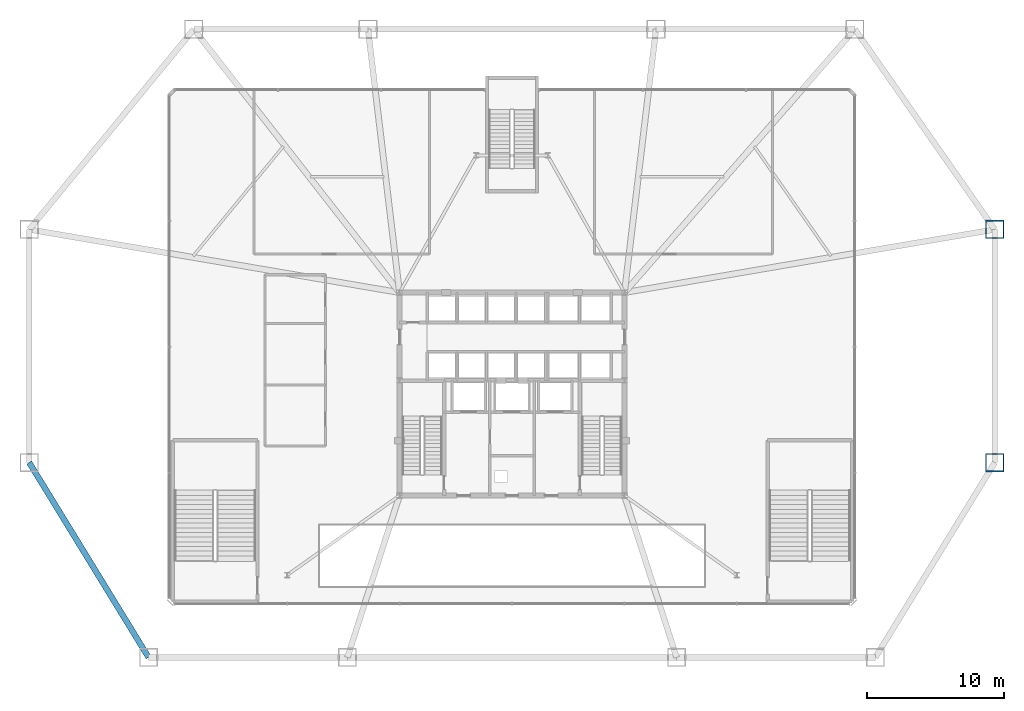
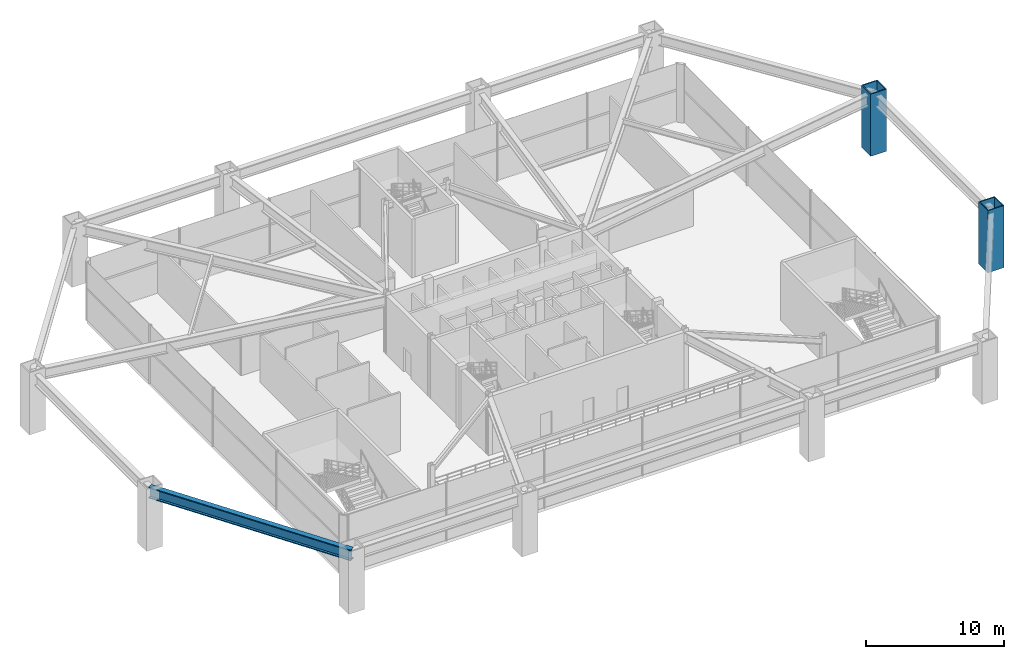
# One storey, part 4 of 18: 2 columns, 1 beam.
"""IFC4 building model written with IfcOpenShell, lengths in metres."""

from ifc_helpers import new_model, si_unit, direction, frame, origin, origin_2d, place, context, subcontext, project, spatial, hollow_rectangle, i_section, extrude, material, material_profile, profile_set, type_object, element, save


model = new_model("IFC4")

# Units and contexts
model_context = context("Model", 3, precision=1e-05, world=origin(), true_north=direction((0.0, 1.0)))
body_context = subcontext(model_context, "Body", "Model", "MODEL_VIEW")
ifc_project = project(units=[si_unit("LENGTHUNIT", "METRE"), si_unit("AREAUNIT", "SQUARE_METRE"), si_unit("VOLUMEUNIT", "CUBIC_METRE"), si_unit("PLANEANGLEUNIT", "RADIAN"), si_unit("MASSUNIT", "GRAM", prefix="KILO")], contexts=[model_context])

# Site, building, storey
site_placement = place(None, origin())
site = spatial("IfcSite", under=ifc_project, at=site_placement, CompositionType="ELEMENT")
building_placement = place(site_placement, origin())
building = spatial("IfcBuilding", under=site, at=building_placement, Name="Varakhsha Concourse Tower", CompositionType="ELEMENT")
storey_placement = place(building_placement, frame((0.0, 0.0, 5.5)))
storey = spatial("IfcBuildingStorey", under=building, at=storey_placement, Name="L02", CompositionType="ELEMENT", Elevation=5.5)

# Columns
ifc_material_1 = material(Name="Structural Steel ASTM A572 Grade 50", Category="steel")
ifc_material_profile_1 = material_profile(ifc_material_1, hollow_rectangle(XDim=1.35009765625, YDim=1.35009765625, WallThickness=0.0849609375, at=origin_2d()), Name="BOX 1350x1350x85")
ifc_profile_set_1 = profile_set([ifc_material_profile_1], Name="Structural Steel ASTM A572 Grade 50")
column_type = type_object("IfcColumnType", Name="CL-STILT-1350", PredefinedType="COLUMN", material=ifc_profile_set_1)
for number, where, z_axis, x_axis, name in (
    (1, (75.199951171875, 18.800048828125, 0.0), (0.0, 0.0, 1.0), (1.0, 0.0, 0.0), "L02 Open Perimeter Box Stilt PC-E1"),
    (2, (75.199951171875, 35.800048828125, 0.0), (0.0, 0.0, 1.0), (1.0, 0.0, 0.0), "L02 Open Perimeter Box Stilt PC-E2"),
):
    element("IfcColumn", number, at=place(storey_placement, frame(where, z_axis=z_axis, x_axis=x_axis)), inside=storey, type_object=column_type, Name=name, PredefinedType="COLUMN", context=body_context, shape_type="SweptSolid", body=[
        extrude(hollow_rectangle(XDim=1.35009765625, YDim=1.35009765625, WallThickness=0.0849609375, at=origin_2d()), origin(), (0.0, 0.0, 1.0), 5.5),
    ])

# Beam
ifc_material_2 = material(Name="Structural Steel ASTM A992 Grade 50", Category="steel")
ifc_material_profile_2 = material_profile(ifc_material_2, i_section(OverallWidth=0.427978515625, OverallDepth=0.97509765625, WebThickness=0.050048828125, FlangeThickness=0.0810546875, at=origin_2d()), Name="W36X395")
ifc_profile_set_2 = profile_set([ifc_material_profile_2], Name="Structural Steel ASTM A992 Grade 50")
beam_type = type_object("IfcBeamType", Name="BM-XFER-W36X395", PredefinedType="USERDEFINED", material=ifc_profile_set_2)
beam_placement = place(storey_placement, frame((4.800048828125, 18.800048828125, 4.6923828125), z_axis=(0.522420415639, -0.852688049244, 0.0), x_axis=(0.852688049244, 0.522420415639, 0.0)))
element("IfcBeam", 3, at=beam_placement, inside=storey, type_object=beam_type, Name="BM-PRING-L02-12", ObjectType="GIRDER", PredefinedType="USERDEFINED", context=body_context, shape_type="SweptSolid", body=[
    extrude(i_section(OverallWidth=0.427978515625, OverallDepth=0.97509765625, WebThickness=0.050048828125, FlangeThickness=0.0810546875, at=origin_2d()), origin(), (0.0, 0.0, 1.0), 16.653076171875),
])

save(model, "model.ifc")
